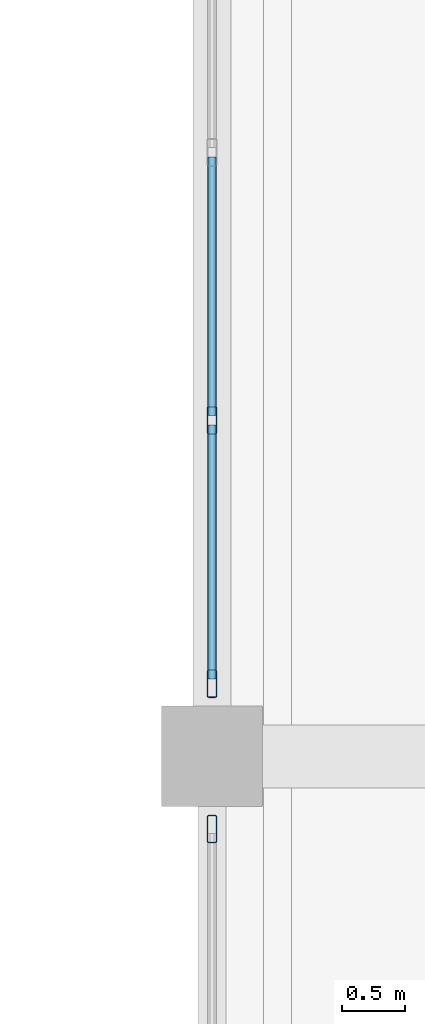
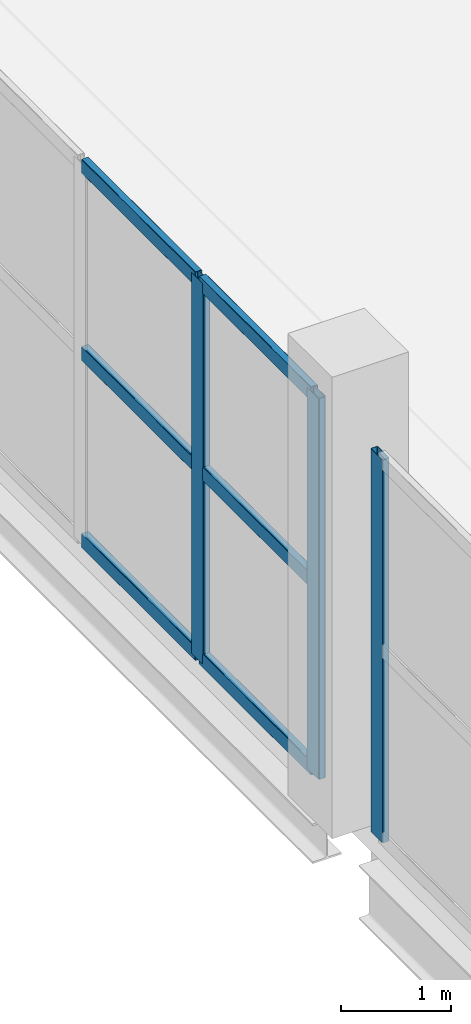
# One storey, part 40 of 73: 9 members, 2 elements without a shape of their own.
"""IFC4 building model written with IfcOpenShell, lengths in metres."""

from ifc_helpers import new_model, si_unit, direction, frame, origin, origin_2d, place, context, subcontext, project, spatial, hollow_rectangle, extrude, material, layer, layer_set, material_profile, profile_set, type_object, element, aggregate, save


model = new_model("IFC4")

# Units and contexts
model_context = context("Model", 3, precision=1e-05, world=origin(), true_north=direction((0.0, 1.0)))
body_context = subcontext(model_context, "Body", "Model", "MODEL_VIEW")
ifc_project = project(units=[si_unit("LENGTHUNIT", "METRE"), si_unit("AREAUNIT", "SQUARE_METRE"), si_unit("VOLUMEUNIT", "CUBIC_METRE"), si_unit("PLANEANGLEUNIT", "RADIAN"), si_unit("MASSUNIT", "GRAM", prefix="KILO")], contexts=[model_context])

# Site, building, storey
site_placement = place(None, origin())
site = spatial("IfcSite", under=ifc_project, at=site_placement, CompositionType="ELEMENT")
building_placement = place(site_placement, origin())
building = spatial("IfcBuilding", under=site, at=building_placement, Name="Zulmaris Art Gallery", CompositionType="ELEMENT")
storey_placement = place(building_placement, frame((0.0, 0.0, 10.5)))
storey = spatial("IfcBuildingStorey", under=building, at=storey_placement, Name="L02", CompositionType="ELEMENT", Elevation=10.5)

# Curtain wall, member
ifc_material_1 = material(Name="Courtyard Artists Studio Curtain Wall", Category="aluminium")
ifc_layer = layer(ifc_material_1, 0.179931640625)
ifc_layer_set = layer_set([ifc_layer], Name="Courtyard Artists Studio Curtain Wall")
curtain_wall_type = type_object("IfcCurtainWallType", Name="CW-CW04", PredefinedType="NOTDEFINED", material=ifc_layer_set)
curtain_wall_1_placement = place(storey_placement, origin())
curtain_wall_1 = element("IfcCurtainWall", 1, at=curtain_wall_1_placement, inside=storey, type_object=curtain_wall_type, Name="L02 curtain wall 136", PredefinedType="NOTDEFINED")
ifc_material_2 = material(Name="Anodised Bronze Aluminium", Category="aluminium")
ifc_material_profile_1 = material_profile(ifc_material_2, hollow_rectangle(XDim=0.074951171875, YDim=0.219970703125, WallThickness=0.0048828125, InnerFilletRadius=0.007568359375, OuterFilletRadius=0.012451171875, at=origin_2d()), Name="ALU 75x220x5")
ifc_profile_set_1 = profile_set([ifc_material_profile_1], Name="Anodised Bronze Aluminium")
member_type_1 = type_object("IfcMemberType", Name="CWMUL-02", PredefinedType="MULLION", material=ifc_profile_set_1)
member_1_placement = place(storey_placement, frame((183.60009765625, 40.222412109375, 0.0), z_axis=(0.0, 0.0, 1.0), x_axis=(1.0, 0.0, 0.0)))
member_1 = element("IfcMember", 2, at=member_1_placement, type_object=member_type_1, Name="CW04 mullion 1", PredefinedType="MULLION", context=body_context, shape_type="SweptSolid", body=[
    extrude(hollow_rectangle(XDim=0.074951171875, YDim=0.219970703125, WallThickness=0.0048828125, InnerFilletRadius=0.007568359375, OuterFilletRadius=0.012451171875, at=origin_2d()), origin(), (0.0, 0.0, 1.0), 4.22998046875),
])
aggregate(curtain_wall_1, [member_1])

# Curtain wall, members
curtain_wall_2_placement = place(storey_placement, origin())
curtain_wall_2 = element("IfcCurtainWall", 3, at=curtain_wall_2_placement, inside=storey, type_object=curtain_wall_type, Name="L02 curtain wall 138", PredefinedType="NOTDEFINED")
member_2_placement = place(storey_placement, frame((183.60009765625, 43.469970703125, 0.0), z_axis=(0.0, 0.0, 1.0), x_axis=(1.0, 0.0, 0.0)))
member_2 = element("IfcMember", 4, at=member_2_placement, type_object=member_type_1, Name="CW04 mullion 4", PredefinedType="MULLION", context=body_context, shape_type="SweptSolid", body=[
    extrude(hollow_rectangle(XDim=0.074951171875, YDim=0.219970703125, WallThickness=0.0048828125, InnerFilletRadius=0.007568359375, OuterFilletRadius=0.012451171875, at=origin_2d()), origin(), (0.0, 0.0, 1.0), 4.2099609375),
])
member_3_placement = place(storey_placement, frame((183.60009765625, 41.37744140625, 0.0), z_axis=(0.0, 0.0, 1.0), x_axis=(1.0, 0.0, 0.0)))
member_3 = element("IfcMember", 5, at=member_3_placement, type_object=member_type_1, Name="CW04 mullion 5", PredefinedType="MULLION", context=body_context, shape_type="SweptSolid", body=[
    extrude(hollow_rectangle(XDim=0.074951171875, YDim=0.219970703125, WallThickness=0.0048828125, InnerFilletRadius=0.007568359375, OuterFilletRadius=0.012451171875, at=origin_2d()), origin(), (0.0, 0.0, 1.0), 4.2099609375),
])
ifc_material_profile_2 = material_profile(ifc_material_2, hollow_rectangle(XDim=0.074951171875, YDim=0.159912109375, WallThickness=0.00390625, InnerFilletRadius=0.006103515625, OuterFilletRadius=0.010009765625, at=origin_2d()), Name="ALU 75x160x4")
ifc_profile_set_2 = profile_set([ifc_material_profile_2], Name="Anodised Bronze Aluminium")
member_type_2 = type_object("IfcMemberType", Name="CWTRN-02", PredefinedType="USERDEFINED", material=ifc_profile_set_2)
member_4_placement = place(storey_placement, frame((183.60009765625, 45.5625, 0.03759765625), z_axis=(0.0, -1.0, 0.0), x_axis=(1.0, 0.0, 0.0)))
member_4 = element("IfcMember", 6, at=member_4_placement, type_object=member_type_2, Name="CW04 transom 3.1", ObjectType="TRANSOM", PredefinedType="USERDEFINED", context=body_context, shape_type="SweptSolid", body=[
    extrude(hollow_rectangle(XDim=0.074951171875, YDim=0.159912109375, WallThickness=0.00390625, InnerFilletRadius=0.006103515625, OuterFilletRadius=0.010009765625, at=origin_2d()), origin(), (0.0, 0.0, 1.0), 2.054931640625),
])
member_5_placement = place(storey_placement, frame((183.60009765625, 45.5625, 2.10498046875), z_axis=(0.0, -1.0, 0.0), x_axis=(1.0, 0.0, 0.0)))
member_5 = element("IfcMember", 7, at=member_5_placement, type_object=member_type_2, Name="CW04 transom 3.2", ObjectType="TRANSOM", PredefinedType="USERDEFINED", context=body_context, shape_type="SweptSolid", body=[
    extrude(hollow_rectangle(XDim=0.074951171875, YDim=0.159912109375, WallThickness=0.00390625, InnerFilletRadius=0.006103515625, OuterFilletRadius=0.010009765625, at=origin_2d()), origin(), (0.0, 0.0, 1.0), 2.054931640625),
])
member_6_placement = place(storey_placement, frame((183.60009765625, 45.5625, 4.172607421875), z_axis=(0.0, -1.0, 0.0), x_axis=(1.0, 0.0, 0.0)))
member_6 = element("IfcMember", 8, at=member_6_placement, type_object=member_type_2, Name="CW04 transom 3.3", ObjectType="TRANSOM", PredefinedType="USERDEFINED", context=body_context, shape_type="SweptSolid", body=[
    extrude(hollow_rectangle(XDim=0.074951171875, YDim=0.159912109375, WallThickness=0.00390625, InnerFilletRadius=0.006103515625, OuterFilletRadius=0.010009765625, at=origin_2d()), origin(), (0.0, 0.0, 1.0), 2.054931640625),
])
member_7_placement = place(storey_placement, frame((183.60009765625, 43.4326171875, 0.03759765625), z_axis=(0.0, -1.0, 0.0), x_axis=(1.0, 0.0, 0.0)))
member_7 = element("IfcMember", 9, at=member_7_placement, type_object=member_type_2, Name="CW04 transom 4.1", ObjectType="TRANSOM", PredefinedType="USERDEFINED", context=body_context, shape_type="SweptSolid", body=[
    extrude(hollow_rectangle(XDim=0.074951171875, YDim=0.159912109375, WallThickness=0.00390625, InnerFilletRadius=0.006103515625, OuterFilletRadius=0.010009765625, at=origin_2d()), origin(), (0.0, 0.0, 1.0), 2.017578125),
])
member_8_placement = place(storey_placement, frame((183.60009765625, 43.4326171875, 2.10498046875), z_axis=(0.0, -1.0, 0.0), x_axis=(1.0, 0.0, 0.0)))
member_8 = element("IfcMember", 10, at=member_8_placement, type_object=member_type_2, Name="CW04 transom 4.2", ObjectType="TRANSOM", PredefinedType="USERDEFINED", context=body_context, shape_type="SweptSolid", body=[
    extrude(hollow_rectangle(XDim=0.074951171875, YDim=0.159912109375, WallThickness=0.00390625, InnerFilletRadius=0.006103515625, OuterFilletRadius=0.010009765625, at=origin_2d()), origin(), (0.0, 0.0, 1.0), 2.017578125),
])
member_9_placement = place(storey_placement, frame((183.60009765625, 43.4326171875, 4.172607421875), z_axis=(0.0, -1.0, 0.0), x_axis=(1.0, 0.0, 0.0)))
member_9 = element("IfcMember", 11, at=member_9_placement, type_object=member_type_2, Name="CW04 transom 4.3", ObjectType="TRANSOM", PredefinedType="USERDEFINED", context=body_context, shape_type="SweptSolid", body=[
    extrude(hollow_rectangle(XDim=0.074951171875, YDim=0.159912109375, WallThickness=0.00390625, InnerFilletRadius=0.006103515625, OuterFilletRadius=0.010009765625, at=origin_2d()), origin(), (0.0, 0.0, 1.0), 2.017578125),
])
aggregate(curtain_wall_2, [member_2, member_3, member_4, member_5, member_6, member_7, member_8, member_9])

save(model, "model.ifc")
